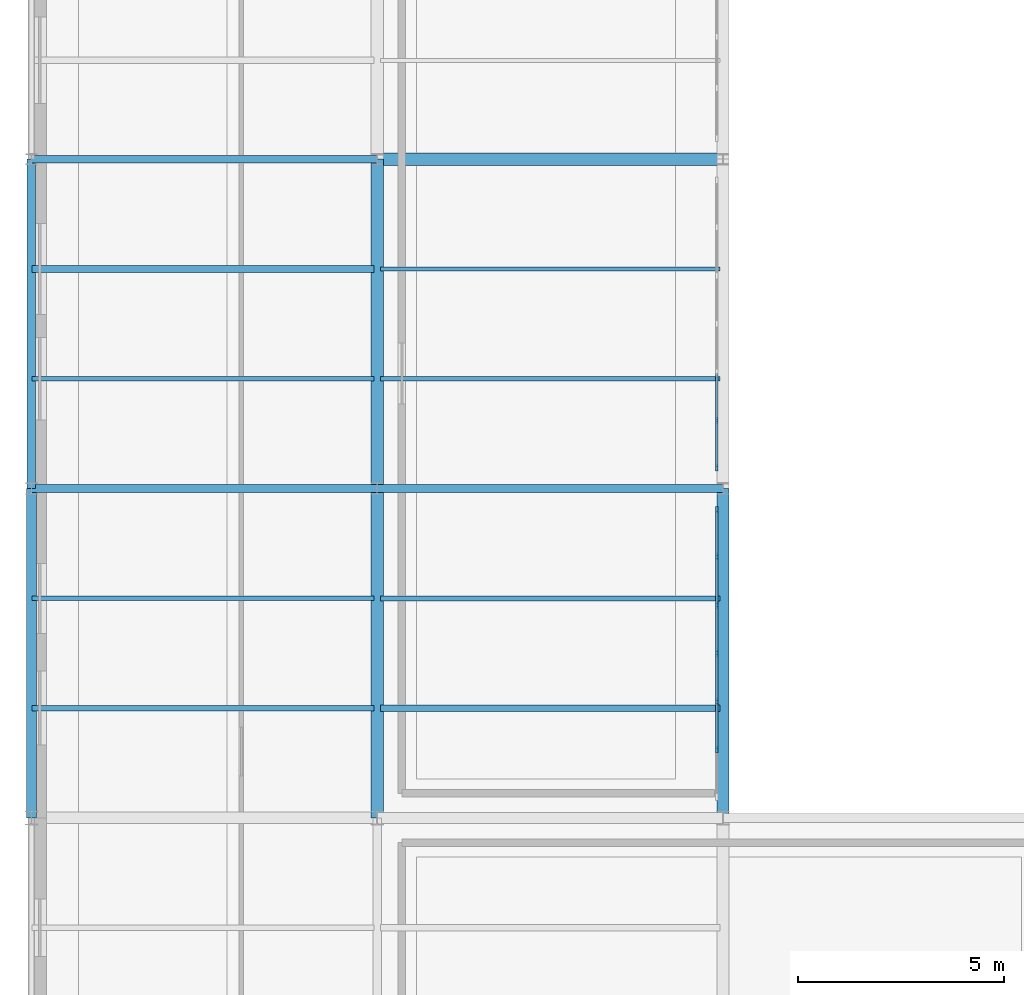
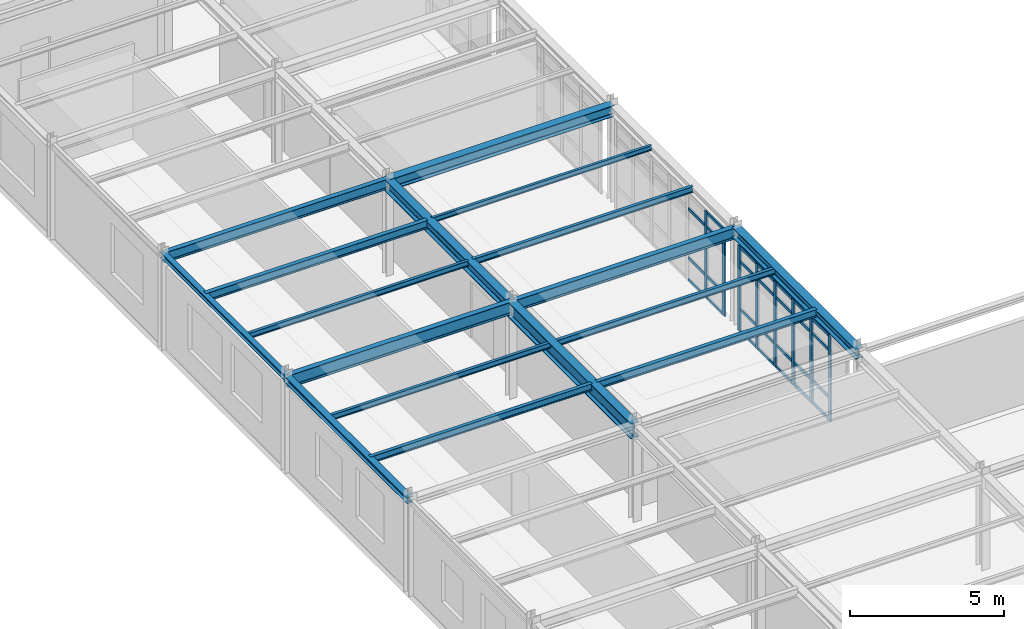
# One storey, part 28 of 70: 35 members, 17 beams, 2 elements without a shape of their own.
"""IFC4 building model written with IfcOpenShell, lengths in metres."""

from ifc_helpers import new_model, si_unit, derived_unit, direction, frame, origin, origin_2d, place, context, subcontext, project, spatial, rectangle, i_section, extrude, material, layer, layer_set, material_profile, profile_set, type_object, element, aggregate, save


model = new_model("IFC4")

# Units and contexts
model_context = context("Model", 3, precision=1e-05, world=origin(), true_north=direction((0.0, 1.0)))
body_context = subcontext(model_context, "Body", "Model", "MODEL_VIEW")
ifc_project = project(units=[si_unit("LENGTHUNIT", "METRE"), si_unit("AREAUNIT", "SQUARE_METRE"), si_unit("VOLUMEUNIT", "CUBIC_METRE"), si_unit("PLANEANGLEUNIT", "RADIAN"), si_unit("MASSUNIT", "GRAM", prefix="KILO"), derived_unit("THERMALTRANSMITTANCEUNIT", [(si_unit("POWERUNIT", "WATT"), 1), (si_unit("AREAUNIT", "SQUARE_METRE"), -1), (si_unit("THERMODYNAMICTEMPERATUREUNIT", "KELVIN"), -1)])], contexts=[model_context])

# Site, building, storey
site_placement = place(None, origin())
site = spatial("IfcSite", under=ifc_project, at=site_placement, CompositionType="ELEMENT")
building_placement = place(site_placement, origin())
building = spatial("IfcBuilding", under=site, at=building_placement, Name="Yasenodar Specialist Clinic", CompositionType="ELEMENT")
storey_placement = place(building_placement, frame((0.0, 0.0, 13.199951171875)))
storey = spatial("IfcBuildingStorey", under=building, at=storey_placement, Name="L03", CompositionType="ELEMENT", Elevation=13.199951171875)

# Beams
ifc_material_1 = material(Name="Steel S355", Category="steel")
ifc_material_profile_1 = material_profile(ifc_material_1, i_section(OverallWidth=0.300048828125, OverallDepth=0.43994140625, WebThickness=0.011474609375, FlangeThickness=0.02099609375, FilletRadius=0.027099609375, at=origin_2d()), Name="HEA 450")
ifc_profile_set_1 = profile_set([ifc_material_profile_1], Name="Steel S355")
beam_type_1 = type_object("IfcBeamType", Name="BM-HEA450", PredefinedType="BEAM", material=ifc_profile_set_1)
beam_1_placement = place(storey_placement, frame((8.39990234375, 82.800048828125, 3.580078125), z_axis=(1.0, 0.0, 0.0), x_axis=(0.0, 1.0, 0.0)))
element("IfcBeam", 1, at=beam_1_placement, inside=storey, type_object=beam_type_1, Name="L03 Primary E-W Girder", PredefinedType="BEAM", context=body_context, shape_type="SweptSolid", body=[
    extrude(i_section(OverallWidth=0.300048828125, OverallDepth=0.43994140625, WebThickness=0.011474609375, FlangeThickness=0.02099609375, FilletRadius=0.027099609375, at=origin_2d()), origin(), (0.0, 0.0, 1.0), 8.400146484375),
])
ifc_material_profile_2 = material_profile(ifc_material_1, i_section(OverallWidth=0.300048828125, OverallDepth=0.39990234375, WebThickness=0.013427734375, FlangeThickness=0.02392578125, FilletRadius=0.027099609375, at=origin_2d()), Name="HEB 400")
ifc_profile_set_2 = profile_set([ifc_material_profile_2], Name="Steel S355")
beam_type_2 = type_object("IfcBeamType", Name="BM-HEB400", PredefinedType="BEAM", material=ifc_profile_set_2)
beam_2_placement = place(storey_placement, frame((16.800048828125, 66.800048828125, 3.60009765625), z_axis=(0.0, 1.0, 0.0), x_axis=(-1.0, 0.0, 0.0)))
element("IfcBeam", 2, at=beam_2_placement, inside=storey, type_object=beam_type_2, Name="L03 Primary N-S Girder", PredefinedType="BEAM", context=body_context, shape_type="SweptSolid", body=[
    extrude(i_section(OverallWidth=0.300048828125, OverallDepth=0.39990234375, WebThickness=0.013427734375, FlangeThickness=0.02392578125, FilletRadius=0.027099609375, at=origin_2d()), origin(), (0.0, 0.0, 1.0), 8.0),
])
ifc_material_profile_3 = material_profile(ifc_material_1, i_section(OverallWidth=0.300048828125, OverallDepth=0.449951171875, WebThickness=0.013916015625, FlangeThickness=0.02587890625, FilletRadius=0.027099609375, at=origin_2d()), Name="HEB 450")
ifc_profile_set_3 = profile_set([ifc_material_profile_3], Name="Steel S355")
beam_type_3 = type_object("IfcBeamType", Name="BM-HEB450", PredefinedType="BEAM", material=ifc_profile_set_3)
beam_3_placement = place(storey_placement, frame((8.39990234375, 74.800048828125, 3.574951171875), z_axis=(0.0, 1.0, 0.0), x_axis=(-1.0, 0.0, 0.0)))
element("IfcBeam", 3, at=beam_3_placement, inside=storey, type_object=beam_type_3, Name="L03 Primary N-S Girder", PredefinedType="BEAM", context=body_context, shape_type="SweptSolid", body=[
    extrude(i_section(OverallWidth=0.300048828125, OverallDepth=0.449951171875, WebThickness=0.013916015625, FlangeThickness=0.02587890625, FilletRadius=0.027099609375, at=origin_2d()), origin(), (0.0, 0.0, 1.0), 8.0),
])
ifc_material_profile_4 = material_profile(ifc_material_1, i_section(OverallWidth=0.300048828125, OverallDepth=0.60009765625, WebThickness=0.015380859375, FlangeThickness=0.030029296875, FilletRadius=0.027099609375, at=origin_2d()), Name="HEB 600")
ifc_profile_set_4 = profile_set([ifc_material_profile_4], Name="Steel S355")
beam_type_4 = type_object("IfcBeamType", Name="BM-HEB600", PredefinedType="BEAM", material=ifc_profile_set_4)
beam_4_placement = place(storey_placement, frame((8.39990234375, 66.800048828125, 3.5), z_axis=(0.0, 1.0, 0.0), x_axis=(-1.0, 0.0, 0.0)))
element("IfcBeam", 4, at=beam_4_placement, inside=storey, type_object=beam_type_4, Name="L03 Primary N-S Girder", PredefinedType="BEAM", context=body_context, shape_type="SweptSolid", body=[
    extrude(i_section(OverallWidth=0.300048828125, OverallDepth=0.60009765625, WebThickness=0.015380859375, FlangeThickness=0.030029296875, FilletRadius=0.027099609375, at=origin_2d()), origin(), (0.0, 0.0, 1.0), 8.0),
])
ifc_material_profile_5 = material_profile(ifc_material_1, i_section(OverallWidth=0.179931640625, OverallDepth=0.39990234375, WebThickness=0.008544921875, FlangeThickness=0.013427734375, FilletRadius=0.02099609375, at=origin_2d()), Name="IPE 400")
ifc_profile_set_5 = profile_set([ifc_material_profile_5], Name="Steel S355")
beam_type_5 = type_object("IfcBeamType", Name="BM-IPE400", PredefinedType="BEAM", material=ifc_profile_set_5)
beam_5_placement = place(storey_placement, frame((0.0, 82.800048828125, 3.60009765625), z_axis=(1.0, 0.0, 0.0), x_axis=(0.0, 1.0, 0.0)))
element("IfcBeam", 5, at=beam_5_placement, inside=storey, type_object=beam_type_5, Name="L03 Primary E-W Girder", PredefinedType="BEAM", context=body_context, shape_type="SweptSolid", body=[
    extrude(i_section(OverallWidth=0.179931640625, OverallDepth=0.39990234375, WebThickness=0.008544921875, FlangeThickness=0.013427734375, FilletRadius=0.02099609375, at=origin_2d()), origin(), (0.0, 0.0, 1.0), 8.39990234375),
])
ifc_material_profile_6 = material_profile(ifc_material_1, i_section(OverallWidth=0.18994140625, OverallDepth=0.449951171875, WebThickness=0.009521484375, FlangeThickness=0.0146484375, FilletRadius=0.02099609375, at=origin_2d()), Name="IPE 450")
ifc_profile_set_6 = profile_set([ifc_material_profile_6], Name="Steel S355")
beam_type_6 = type_object("IfcBeamType", Name="BM-IPE450", PredefinedType="BEAM", material=ifc_profile_set_6)
beam_6_placement = place(storey_placement, frame((8.39990234375, 74.800048828125, 3.574951171875), z_axis=(1.0, 0.0, 0.0), x_axis=(0.0, 1.0, 0.0)))
element("IfcBeam", 6, at=beam_6_placement, inside=storey, type_object=beam_type_6, Name="L03 Primary E-W Girder", PredefinedType="BEAM", context=body_context, shape_type="SweptSolid", body=[
    extrude(i_section(OverallWidth=0.18994140625, OverallDepth=0.449951171875, WebThickness=0.009521484375, FlangeThickness=0.0146484375, FilletRadius=0.02099609375, at=origin_2d()), origin(), (0.0, 0.0, 1.0), 8.400146484375),
])
ifc_material_profile_7 = material_profile(ifc_material_1, i_section(OverallWidth=0.199951171875, OverallDepth=0.5, WebThickness=0.01025390625, FlangeThickness=0.01611328125, FilletRadius=0.02099609375, at=origin_2d()), Name="IPE 500")
ifc_profile_set_7 = profile_set([ifc_material_profile_7], Name="Steel S355")
beam_type_7 = type_object("IfcBeamType", Name="BM-IPE500", PredefinedType="BEAM", material=ifc_profile_set_7)
beam_7_placement = place(storey_placement, frame((0.0, 74.800048828125, 3.550048828125), z_axis=(1.0, 0.0, 0.0), x_axis=(0.0, 1.0, 0.0)))
element("IfcBeam", 7, at=beam_7_placement, inside=storey, type_object=beam_type_7, Name="L03 Primary E-W Girder", PredefinedType="BEAM", context=body_context, shape_type="SweptSolid", body=[
    extrude(i_section(OverallWidth=0.199951171875, OverallDepth=0.5, WebThickness=0.01025390625, FlangeThickness=0.01611328125, FilletRadius=0.02099609375, at=origin_2d()), origin(), (0.0, 0.0, 1.0), 8.39990234375),
])

# Curtain wall, members
ifc_material_2 = material(Name="Bronze Anodized Aluminium and Triple Low-E Glass", Category="aluminium")
ifc_layer = layer(ifc_material_2, 0.202880859375)
ifc_layer_set = layer_set([ifc_layer], Name="Bronze Anodized Aluminium and Triple Low-E Glass")
curtain_wall_type = type_object("IfcCurtainWallType", Name="CW-SYS-04", PredefinedType="USERDEFINED", material=ifc_layer_set)
curtain_wall_1_placement = place(storey_placement, origin())
curtain_wall_1 = element("IfcCurtainWall", 8, at=curtain_wall_1_placement, inside=storey, type_object=curtain_wall_type, Name="L03 Unitised Curtain Wall 133", ObjectType="UNITISED CURTAIN WALL", PredefinedType="USERDEFINED")
ifc_material_3 = material(Name="Bronze Anodized Aluminium", Category="aluminium")
ifc_material_profile_8 = material_profile(ifc_material_3, rectangle(XDim=0.06005859375, YDim=0.159912109375, at=origin_2d()), Name="CW-MULL 60x160")
ifc_profile_set_8 = profile_set([ifc_material_profile_8], Name="Bronze Anodized Aluminium")
member_type_1 = type_object("IfcMemberType", Name="CW-MULL-160", PredefinedType="MULLION", material=ifc_profile_set_8)
member_1_placement = place(storey_placement, frame((16.64990234375, 76.453369140625, 0.0), z_axis=(0.0, 0.0, 1.0), x_axis=(1.0, 0.0, 0.0)))
member_1 = element("IfcMember", 9, at=member_1_placement, type_object=member_type_1, Name="CW-04 mullion 6", PredefinedType="MULLION", context=body_context, shape_type="SweptSolid", body=[
    extrude(rectangle(XDim=0.06005859375, YDim=0.159912109375, at=origin_2d()), origin(), (0.0, 0.0, 1.0), 3.43798828125),
])
member_2_placement = place(storey_placement, frame((16.64990234375, 75.31005859375, 0.0), z_axis=(0.0, 0.0, 1.0), x_axis=(1.0, 0.0, 0.0)))
member_2 = element("IfcMember", 10, at=member_2_placement, type_object=member_type_1, Name="CW-04 mullion 7", PredefinedType="MULLION", context=body_context, shape_type="SweptSolid", body=[
    extrude(rectangle(XDim=0.06005859375, YDim=0.159912109375, at=origin_2d()), origin(), (0.0, 0.0, 1.0), 3.43798828125),
])

curtain_wall_2_placement = place(storey_placement, origin())
curtain_wall_2 = element("IfcCurtainWall", 11, at=curtain_wall_2_placement, inside=storey, type_object=curtain_wall_type, Name="L03 Unitised Curtain Wall 134", ObjectType="UNITISED CURTAIN WALL", PredefinedType="USERDEFINED")
member_3_placement = place(storey_placement, frame((16.64990234375, 74.2900390625, 0.0), z_axis=(0.0, 0.0, 1.0), x_axis=(1.0, 0.0, 0.0)))
member_3 = element("IfcMember", 12, at=member_3_placement, type_object=member_type_1, Name="CW-04 mullion 1", PredefinedType="MULLION", context=body_context, shape_type="SweptSolid", body=[
    extrude(rectangle(XDim=0.06005859375, YDim=0.159912109375, at=origin_2d()), origin(), (0.0, 0.0, 1.0), 3.3779296875),
])
member_4_placement = place(storey_placement, frame((16.64990234375, 73.146728515625, 0.0), z_axis=(0.0, 0.0, 1.0), x_axis=(1.0, 0.0, 0.0)))
member_4 = element("IfcMember", 13, at=member_4_placement, type_object=member_type_1, Name="CW-04 mullion 2", PredefinedType="MULLION", context=body_context, shape_type="SweptSolid", body=[
    extrude(rectangle(XDim=0.06005859375, YDim=0.159912109375, at=origin_2d()), origin(), (0.0, 0.0, 1.0), 3.3779296875),
])
member_5_placement = place(storey_placement, frame((16.64990234375, 71.973388671875, 0.0), z_axis=(0.0, 0.0, 1.0), x_axis=(1.0, 0.0, 0.0)))
member_5 = element("IfcMember", 14, at=member_5_placement, type_object=member_type_1, Name="CW-04 mullion 3", PredefinedType="MULLION", context=body_context, shape_type="SweptSolid", body=[
    extrude(rectangle(XDim=0.06005859375, YDim=0.159912109375, at=origin_2d()), origin(), (0.0, 0.0, 1.0), 3.3779296875),
])
member_6_placement = place(storey_placement, frame((16.64990234375, 70.800048828125, 0.0), z_axis=(0.0, 0.0, 1.0), x_axis=(1.0, 0.0, 0.0)))
member_6 = element("IfcMember", 15, at=member_6_placement, type_object=member_type_1, Name="CW-04 mullion 4", PredefinedType="MULLION", context=body_context, shape_type="SweptSolid", body=[
    extrude(rectangle(XDim=0.06005859375, YDim=0.159912109375, at=origin_2d()), origin(), (0.0, 0.0, 1.0), 3.3779296875),
])
member_7_placement = place(storey_placement, frame((16.64990234375, 69.626708984375, 0.0), z_axis=(0.0, 0.0, 1.0), x_axis=(1.0, 0.0, 0.0)))
member_7 = element("IfcMember", 16, at=member_7_placement, type_object=member_type_1, Name="CW-04 mullion 5", PredefinedType="MULLION", context=body_context, shape_type="SweptSolid", body=[
    extrude(rectangle(XDim=0.06005859375, YDim=0.159912109375, at=origin_2d()), origin(), (0.0, 0.0, 1.0), 3.3779296875),
])
member_8_placement = place(storey_placement, frame((16.64990234375, 68.453369140625, 0.0), z_axis=(0.0, 0.0, 1.0), x_axis=(1.0, 0.0, 0.0)))
member_8 = element("IfcMember", 17, at=member_8_placement, type_object=member_type_1, Name="CW-04 mullion 6", PredefinedType="MULLION", context=body_context, shape_type="SweptSolid", body=[
    extrude(rectangle(XDim=0.06005859375, YDim=0.159912109375, at=origin_2d()), origin(), (0.0, 0.0, 1.0), 3.3779296875),
])

# Member
ifc_material_profile_9 = material_profile(ifc_material_3, rectangle(XDim=0.06005859375, YDim=0.1201171875, at=origin_2d()), Name="CW-TRAN 60x120")
ifc_profile_set_9 = profile_set([ifc_material_profile_9], Name="Bronze Anodized Aluminium")
member_type_2 = type_object("IfcMemberType", Name="CW-TRAN-120", PredefinedType="USERDEFINED", material=ifc_profile_set_9)
member_9_placement = place(storey_placement, frame((16.64990234375, 77.5966796875, 0.030029296875), z_axis=(0.0, -1.0, 0.0), x_axis=(1.0, 0.0, 0.0)))
member_9 = element("IfcMember", 18, at=member_9_placement, type_object=member_type_2, Name="CW-04 transom 5.1", ObjectType="TRANSOM", PredefinedType="USERDEFINED", context=body_context, shape_type="SweptSolid", body=[
    extrude(rectangle(XDim=0.06005859375, YDim=0.1201171875, at=origin_2d()), origin(), (0.0, 0.0, 1.0), 1.11328125),
])

member_10_placement = place(storey_placement, frame((16.64990234375, 77.5966796875, 0.900146484375), z_axis=(0.0, -1.0, 0.0), x_axis=(1.0, 0.0, 0.0)))
member_10 = element("IfcMember", 19, at=member_10_placement, type_object=member_type_2, Name="CW-04 transom 5.2", ObjectType="TRANSOM", PredefinedType="USERDEFINED", context=body_context, shape_type="SweptSolid", body=[
    extrude(rectangle(XDim=0.06005859375, YDim=0.1201171875, at=origin_2d()), origin(), (0.0, 0.0, 1.0), 1.11328125),
])

member_11_placement = place(storey_placement, frame((16.64990234375, 77.5966796875, 2.838134765625), z_axis=(0.0, -1.0, 0.0), x_axis=(1.0, 0.0, 0.0)))
member_11 = element("IfcMember", 20, at=member_11_placement, type_object=member_type_2, Name="CW-04 transom 5.3", ObjectType="TRANSOM", PredefinedType="USERDEFINED", context=body_context, shape_type="SweptSolid", body=[
    extrude(rectangle(XDim=0.06005859375, YDim=0.1201171875, at=origin_2d()), origin(), (0.0, 0.0, 1.0), 1.11328125),
])

member_12_placement = place(storey_placement, frame((16.64990234375, 76.42333984375, 0.030029296875), z_axis=(0.0, -1.0, 0.0), x_axis=(1.0, 0.0, 0.0)))
member_12 = element("IfcMember", 21, at=member_12_placement, type_object=member_type_2, Name="CW-04 transom 6.1", ObjectType="TRANSOM", PredefinedType="USERDEFINED", context=body_context, shape_type="SweptSolid", body=[
    extrude(rectangle(XDim=0.06005859375, YDim=0.1201171875, at=origin_2d()), origin(), (0.0, 0.0, 1.0), 1.083251953125),
])

member_13_placement = place(storey_placement, frame((16.64990234375, 76.42333984375, 0.900146484375), z_axis=(0.0, -1.0, 0.0), x_axis=(1.0, 0.0, 0.0)))
member_13 = element("IfcMember", 22, at=member_13_placement, type_object=member_type_2, Name="CW-04 transom 6.2", ObjectType="TRANSOM", PredefinedType="USERDEFINED", context=body_context, shape_type="SweptSolid", body=[
    extrude(rectangle(XDim=0.06005859375, YDim=0.1201171875, at=origin_2d()), origin(), (0.0, 0.0, 1.0), 1.083251953125),
])

member_14_placement = place(storey_placement, frame((16.64990234375, 76.42333984375, 2.838134765625), z_axis=(0.0, -1.0, 0.0), x_axis=(1.0, 0.0, 0.0)))
member_14 = element("IfcMember", 23, at=member_14_placement, type_object=member_type_2, Name="CW-04 transom 6.3", ObjectType="TRANSOM", PredefinedType="USERDEFINED", context=body_context, shape_type="SweptSolid", body=[
    extrude(rectangle(XDim=0.06005859375, YDim=0.1201171875, at=origin_2d()), origin(), (0.0, 0.0, 1.0), 1.083251953125),
])

member_15_placement = place(storey_placement, frame((16.64990234375, 76.42333984375, 3.407958984375), z_axis=(0.0, -1.0, 0.0), x_axis=(1.0, 0.0, 0.0)))
member_15 = element("IfcMember", 24, at=member_15_placement, type_object=member_type_2, Name="CW-04 transom 6.4", ObjectType="TRANSOM", PredefinedType="USERDEFINED", context=body_context, shape_type="SweptSolid", body=[
    extrude(rectangle(XDim=0.06005859375, YDim=0.1201171875, at=origin_2d()), origin(), (0.0, 0.0, 1.0), 1.083251953125),
])

aggregate(curtain_wall_1, [member_1, member_2, member_9, member_10, member_11, member_12, member_13, member_14, member_15])

member_16_placement = place(storey_placement, frame((16.64990234375, 74.260009765625, 0.030029296875), z_axis=(0.0, -1.0, 0.0), x_axis=(1.0, 0.0, 0.0)))
member_16 = element("IfcMember", 25, at=member_16_placement, type_object=member_type_2, Name="CW-04 transom 1.1", ObjectType="TRANSOM", PredefinedType="USERDEFINED", context=body_context, shape_type="SweptSolid", body=[
    extrude(rectangle(XDim=0.06005859375, YDim=0.1201171875, at=origin_2d()), origin(), (0.0, 0.0, 1.0), 1.083251953125),
])

member_17_placement = place(storey_placement, frame((16.64990234375, 74.260009765625, 0.900146484375), z_axis=(0.0, -1.0, 0.0), x_axis=(1.0, 0.0, 0.0)))
member_17 = element("IfcMember", 26, at=member_17_placement, type_object=member_type_2, Name="CW-04 transom 1.2", ObjectType="TRANSOM", PredefinedType="USERDEFINED", context=body_context, shape_type="SweptSolid", body=[
    extrude(rectangle(XDim=0.06005859375, YDim=0.1201171875, at=origin_2d()), origin(), (0.0, 0.0, 1.0), 1.083251953125),
])

member_18_placement = place(storey_placement, frame((16.64990234375, 74.260009765625, 2.778076171875), z_axis=(0.0, -1.0, 0.0), x_axis=(1.0, 0.0, 0.0)))
member_18 = element("IfcMember", 27, at=member_18_placement, type_object=member_type_2, Name="CW-04 transom 1.3", ObjectType="TRANSOM", PredefinedType="USERDEFINED", context=body_context, shape_type="SweptSolid", body=[
    extrude(rectangle(XDim=0.06005859375, YDim=0.1201171875, at=origin_2d()), origin(), (0.0, 0.0, 1.0), 1.083251953125),
])

member_19_placement = place(storey_placement, frame((16.64990234375, 74.260009765625, 3.34814453125), z_axis=(0.0, -1.0, 0.0), x_axis=(1.0, 0.0, 0.0)))
member_19 = element("IfcMember", 28, at=member_19_placement, type_object=member_type_2, Name="CW-04 transom 1.4", ObjectType="TRANSOM", PredefinedType="USERDEFINED", context=body_context, shape_type="SweptSolid", body=[
    extrude(rectangle(XDim=0.06005859375, YDim=0.1201171875, at=origin_2d()), origin(), (0.0, 0.0, 1.0), 1.083251953125),
])

member_20_placement = place(storey_placement, frame((16.64990234375, 73.11669921875, 0.030029296875), z_axis=(0.0, -1.0, 0.0), x_axis=(1.0, 0.0, 0.0)))
member_20 = element("IfcMember", 29, at=member_20_placement, type_object=member_type_2, Name="CW-04 transom 2.1", ObjectType="TRANSOM", PredefinedType="USERDEFINED", context=body_context, shape_type="SweptSolid", body=[
    extrude(rectangle(XDim=0.06005859375, YDim=0.1201171875, at=origin_2d()), origin(), (0.0, 0.0, 1.0), 1.11328125),
])

member_21_placement = place(storey_placement, frame((16.64990234375, 73.11669921875, 0.900146484375), z_axis=(0.0, -1.0, 0.0), x_axis=(1.0, 0.0, 0.0)))
member_21 = element("IfcMember", 30, at=member_21_placement, type_object=member_type_2, Name="CW-04 transom 2.2", ObjectType="TRANSOM", PredefinedType="USERDEFINED", context=body_context, shape_type="SweptSolid", body=[
    extrude(rectangle(XDim=0.06005859375, YDim=0.1201171875, at=origin_2d()), origin(), (0.0, 0.0, 1.0), 1.11328125),
])

member_22_placement = place(storey_placement, frame((16.64990234375, 73.11669921875, 2.778076171875), z_axis=(0.0, -1.0, 0.0), x_axis=(1.0, 0.0, 0.0)))
member_22 = element("IfcMember", 31, at=member_22_placement, type_object=member_type_2, Name="CW-04 transom 2.3", ObjectType="TRANSOM", PredefinedType="USERDEFINED", context=body_context, shape_type="SweptSolid", body=[
    extrude(rectangle(XDim=0.06005859375, YDim=0.1201171875, at=origin_2d()), origin(), (0.0, 0.0, 1.0), 1.11328125),
])

member_23_placement = place(storey_placement, frame((16.64990234375, 73.11669921875, 3.34814453125), z_axis=(0.0, -1.0, 0.0), x_axis=(1.0, 0.0, 0.0)))
member_23 = element("IfcMember", 32, at=member_23_placement, type_object=member_type_2, Name="CW-04 transom 2.4", ObjectType="TRANSOM", PredefinedType="USERDEFINED", context=body_context, shape_type="SweptSolid", body=[
    extrude(rectangle(XDim=0.06005859375, YDim=0.1201171875, at=origin_2d()), origin(), (0.0, 0.0, 1.0), 1.11328125),
])

member_24_placement = place(storey_placement, frame((16.64990234375, 71.943359375, 0.030029296875), z_axis=(0.0, -1.0, 0.0), x_axis=(1.0, 0.0, 0.0)))
member_24 = element("IfcMember", 33, at=member_24_placement, type_object=member_type_2, Name="CW-04 transom 3.1", ObjectType="TRANSOM", PredefinedType="USERDEFINED", context=body_context, shape_type="SweptSolid", body=[
    extrude(rectangle(XDim=0.06005859375, YDim=0.1201171875, at=origin_2d()), origin(), (0.0, 0.0, 1.0), 1.11328125),
])

member_25_placement = place(storey_placement, frame((16.64990234375, 71.943359375, 0.900146484375), z_axis=(0.0, -1.0, 0.0), x_axis=(1.0, 0.0, 0.0)))
member_25 = element("IfcMember", 34, at=member_25_placement, type_object=member_type_2, Name="CW-04 transom 3.2", ObjectType="TRANSOM", PredefinedType="USERDEFINED", context=body_context, shape_type="SweptSolid", body=[
    extrude(rectangle(XDim=0.06005859375, YDim=0.1201171875, at=origin_2d()), origin(), (0.0, 0.0, 1.0), 1.11328125),
])

member_26_placement = place(storey_placement, frame((16.64990234375, 71.943359375, 2.778076171875), z_axis=(0.0, -1.0, 0.0), x_axis=(1.0, 0.0, 0.0)))
member_26 = element("IfcMember", 35, at=member_26_placement, type_object=member_type_2, Name="CW-04 transom 3.3", ObjectType="TRANSOM", PredefinedType="USERDEFINED", context=body_context, shape_type="SweptSolid", body=[
    extrude(rectangle(XDim=0.06005859375, YDim=0.1201171875, at=origin_2d()), origin(), (0.0, 0.0, 1.0), 1.11328125),
])

member_27_placement = place(storey_placement, frame((16.64990234375, 71.943359375, 3.34814453125), z_axis=(0.0, -1.0, 0.0), x_axis=(1.0, 0.0, 0.0)))
member_27 = element("IfcMember", 36, at=member_27_placement, type_object=member_type_2, Name="CW-04 transom 3.4", ObjectType="TRANSOM", PredefinedType="USERDEFINED", context=body_context, shape_type="SweptSolid", body=[
    extrude(rectangle(XDim=0.06005859375, YDim=0.1201171875, at=origin_2d()), origin(), (0.0, 0.0, 1.0), 1.11328125),
])

member_28_placement = place(storey_placement, frame((16.64990234375, 70.77001953125, 0.030029296875), z_axis=(0.0, -1.0, 0.0), x_axis=(1.0, 0.0, 0.0)))
member_28 = element("IfcMember", 37, at=member_28_placement, type_object=member_type_2, Name="CW-04 transom 4.1", ObjectType="TRANSOM", PredefinedType="USERDEFINED", context=body_context, shape_type="SweptSolid", body=[
    extrude(rectangle(XDim=0.06005859375, YDim=0.1201171875, at=origin_2d()), origin(), (0.0, 0.0, 1.0), 1.11328125),
])

member_29_placement = place(storey_placement, frame((16.64990234375, 70.77001953125, 0.900146484375), z_axis=(0.0, -1.0, 0.0), x_axis=(1.0, 0.0, 0.0)))
member_29 = element("IfcMember", 38, at=member_29_placement, type_object=member_type_2, Name="CW-04 transom 4.2", ObjectType="TRANSOM", PredefinedType="USERDEFINED", context=body_context, shape_type="SweptSolid", body=[
    extrude(rectangle(XDim=0.06005859375, YDim=0.1201171875, at=origin_2d()), origin(), (0.0, 0.0, 1.0), 1.11328125),
])

member_30_placement = place(storey_placement, frame((16.64990234375, 70.77001953125, 2.778076171875), z_axis=(0.0, -1.0, 0.0), x_axis=(1.0, 0.0, 0.0)))
member_30 = element("IfcMember", 39, at=member_30_placement, type_object=member_type_2, Name="CW-04 transom 4.3", ObjectType="TRANSOM", PredefinedType="USERDEFINED", context=body_context, shape_type="SweptSolid", body=[
    extrude(rectangle(XDim=0.06005859375, YDim=0.1201171875, at=origin_2d()), origin(), (0.0, 0.0, 1.0), 1.11328125),
])

member_31_placement = place(storey_placement, frame((16.64990234375, 70.77001953125, 3.34814453125), z_axis=(0.0, -1.0, 0.0), x_axis=(1.0, 0.0, 0.0)))
member_31 = element("IfcMember", 40, at=member_31_placement, type_object=member_type_2, Name="CW-04 transom 4.4", ObjectType="TRANSOM", PredefinedType="USERDEFINED", context=body_context, shape_type="SweptSolid", body=[
    extrude(rectangle(XDim=0.06005859375, YDim=0.1201171875, at=origin_2d()), origin(), (0.0, 0.0, 1.0), 1.11328125),
])

member_32_placement = place(storey_placement, frame((16.64990234375, 69.5966796875, 0.030029296875), z_axis=(0.0, -1.0, 0.0), x_axis=(1.0, 0.0, 0.0)))
member_32 = element("IfcMember", 41, at=member_32_placement, type_object=member_type_2, Name="CW-04 transom 5.1", ObjectType="TRANSOM", PredefinedType="USERDEFINED", context=body_context, shape_type="SweptSolid", body=[
    extrude(rectangle(XDim=0.06005859375, YDim=0.1201171875, at=origin_2d()), origin(), (0.0, 0.0, 1.0), 1.11328125),
])

member_33_placement = place(storey_placement, frame((16.64990234375, 69.5966796875, 0.900146484375), z_axis=(0.0, -1.0, 0.0), x_axis=(1.0, 0.0, 0.0)))
member_33 = element("IfcMember", 42, at=member_33_placement, type_object=member_type_2, Name="CW-04 transom 5.2", ObjectType="TRANSOM", PredefinedType="USERDEFINED", context=body_context, shape_type="SweptSolid", body=[
    extrude(rectangle(XDim=0.06005859375, YDim=0.1201171875, at=origin_2d()), origin(), (0.0, 0.0, 1.0), 1.11328125),
])

member_34_placement = place(storey_placement, frame((16.64990234375, 69.5966796875, 2.778076171875), z_axis=(0.0, -1.0, 0.0), x_axis=(1.0, 0.0, 0.0)))
member_34 = element("IfcMember", 43, at=member_34_placement, type_object=member_type_2, Name="CW-04 transom 5.3", ObjectType="TRANSOM", PredefinedType="USERDEFINED", context=body_context, shape_type="SweptSolid", body=[
    extrude(rectangle(XDim=0.06005859375, YDim=0.1201171875, at=origin_2d()), origin(), (0.0, 0.0, 1.0), 1.11328125),
])

member_35_placement = place(storey_placement, frame((16.64990234375, 69.5966796875, 3.34814453125), z_axis=(0.0, -1.0, 0.0), x_axis=(1.0, 0.0, 0.0)))
member_35 = element("IfcMember", 44, at=member_35_placement, type_object=member_type_2, Name="CW-04 transom 5.4", ObjectType="TRANSOM", PredefinedType="USERDEFINED", context=body_context, shape_type="SweptSolid", body=[
    extrude(rectangle(XDim=0.06005859375, YDim=0.1201171875, at=origin_2d()), origin(), (0.0, 0.0, 1.0), 1.11328125),
])

aggregate(curtain_wall_2, [member_3, member_4, member_5, member_6, member_7, member_8, member_16, member_17, member_18, member_19, member_20, member_21, member_22, member_23, member_24, member_25, member_26, member_27, member_28, member_29, member_30, member_31, member_32, member_33, member_34, member_35])

# Beams
ifc_material_profile_10 = material_profile(ifc_material_1, i_section(OverallWidth=0.10009765625, OverallDepth=0.199951171875, WebThickness=0.005615234375, FlangeThickness=0.008544921875, FilletRadius=0.011962890625, at=origin_2d()), Name="IPE 200")
ifc_profile_set_10 = profile_set([ifc_material_profile_10], Name="Steel S355")
beam_type_8 = type_object("IfcBeamType", Name="JS-IPE200", PredefinedType="JOIST", material=ifc_profile_set_10)
beam_8_placement = place(storey_placement, frame((8.47998046875, 80.13330078125, 3.699951171875), z_axis=(1.0, 0.0, 0.0), x_axis=(0.0, 1.0, 0.0)))
element("IfcBeam", 45, at=beam_8_placement, inside=storey, type_object=beam_type_8, Name="L03 Composite Floor Joist", PredefinedType="JOIST", context=body_context, shape_type="SweptSolid", body=[
    extrude(i_section(OverallWidth=0.10009765625, OverallDepth=0.199951171875, WebThickness=0.005615234375, FlangeThickness=0.008544921875, FilletRadius=0.011962890625, at=origin_2d()), origin(), (0.0, 0.0, 1.0), 8.239990234375),
])
ifc_material_profile_11 = material_profile(ifc_material_1, i_section(OverallWidth=0.110107421875, OverallDepth=0.219970703125, WebThickness=0.005859375, FlangeThickness=0.00927734375, FilletRadius=0.011962890625, at=origin_2d()), Name="IPE 220")
ifc_profile_set_11 = profile_set([ifc_material_profile_11], Name="Steel S355")
beam_type_9 = type_object("IfcBeamType", Name="JS-IPE220", PredefinedType="JOIST", material=ifc_profile_set_11)
for number, where, z_axis, x_axis, name in (
    (46, (0.014892578125, 72.13330078125, 3.68994140625), (1.0, 0.0, 0.0), (0.0, 1.0, 0.0), "L03 Composite Floor Joist"),
    (47, (0.014892578125, 77.466796875, 3.68994140625), (1.0, 0.0, 0.0), (0.0, 1.0, 0.0), "L03 Composite Floor Joist"),
):
    element("IfcBeam", number, at=place(storey_placement, frame(where, z_axis=z_axis, x_axis=x_axis)), inside=storey, type_object=beam_type_9, Name=name, PredefinedType="JOIST", context=body_context, shape_type="SweptSolid", body=[
        extrude(i_section(OverallWidth=0.110107421875, OverallDepth=0.219970703125, WebThickness=0.005859375, FlangeThickness=0.00927734375, FilletRadius=0.011962890625, at=origin_2d()), origin(), (0.0, 0.0, 1.0), 8.30517578125),
    ])
ifc_material_profile_12 = material_profile(ifc_material_1, i_section(OverallWidth=0.1201171875, OverallDepth=0.239990234375, WebThickness=0.006103515625, FlangeThickness=0.009765625, FilletRadius=0.014892578125, at=origin_2d()), Name="IPE 240")
ifc_profile_set_12 = profile_set([ifc_material_profile_12], Name="Steel S355")
beam_type_10 = type_object("IfcBeamType", Name="JS-IPE240", PredefinedType="JOIST", material=ifc_profile_set_12)
for number, where, z_axis, x_axis, name in (
    (48, (8.47998046875, 72.13330078125, 3.679931640625), (1.0, 0.0, 0.0), (0.0, 1.0, 0.0), "L03 Composite Floor Joist"),
    (49, (8.47998046875, 77.466796875, 3.679931640625), (1.0, 0.0, 0.0), (0.0, 1.0, 0.0), "L03 Composite Floor Joist"),
):
    element("IfcBeam", number, at=place(storey_placement, frame(where, z_axis=z_axis, x_axis=x_axis)), inside=storey, type_object=beam_type_10, Name=name, PredefinedType="JOIST", context=body_context, shape_type="SweptSolid", body=[
        extrude(i_section(OverallWidth=0.1201171875, OverallDepth=0.239990234375, WebThickness=0.006103515625, FlangeThickness=0.009765625, FilletRadius=0.014892578125, at=origin_2d()), origin(), (0.0, 0.0, 1.0), 8.239990234375),
    ])
ifc_material_profile_13 = material_profile(ifc_material_1, i_section(OverallWidth=0.135009765625, OverallDepth=0.27001953125, WebThickness=0.006591796875, FlangeThickness=0.01025390625, FilletRadius=0.014892578125, at=origin_2d()), Name="IPE 270")
ifc_profile_set_13 = profile_set([ifc_material_profile_13], Name="Steel S355")
beam_type_11 = type_object("IfcBeamType", Name="JS-IPE270", PredefinedType="JOIST", material=ifc_profile_set_13)
beam_9_placement = place(storey_placement, frame((0.014892578125, 69.466796875, 3.6650390625), z_axis=(1.0, 0.0, 0.0), x_axis=(0.0, 1.0, 0.0)))
element("IfcBeam", 50, at=beam_9_placement, inside=storey, type_object=beam_type_11, Name="L03 Composite Floor Joist", PredefinedType="JOIST", context=body_context, shape_type="SweptSolid", body=[
    extrude(i_section(OverallWidth=0.135009765625, OverallDepth=0.27001953125, WebThickness=0.006591796875, FlangeThickness=0.01025390625, FilletRadius=0.014892578125, at=origin_2d()), origin(), (0.0, 0.0, 1.0), 8.30517578125),
])
ifc_material_profile_14 = material_profile(ifc_material_1, i_section(OverallWidth=0.14990234375, OverallDepth=0.300048828125, WebThickness=0.007080078125, FlangeThickness=0.0107421875, FilletRadius=0.014892578125, at=origin_2d()), Name="IPE 300")
ifc_profile_set_14 = profile_set([ifc_material_profile_14], Name="Steel S355")
beam_type_12 = type_object("IfcBeamType", Name="JS-IPE300", PredefinedType="JOIST", material=ifc_profile_set_14)
beam_10_placement = place(storey_placement, frame((8.47998046875, 69.466796875, 3.650146484375), z_axis=(1.0, 0.0, 0.0), x_axis=(0.0, 1.0, 0.0)))
element("IfcBeam", 51, at=beam_10_placement, inside=storey, type_object=beam_type_12, Name="L03 Composite Floor Joist", PredefinedType="JOIST", context=body_context, shape_type="SweptSolid", body=[
    extrude(i_section(OverallWidth=0.14990234375, OverallDepth=0.300048828125, WebThickness=0.007080078125, FlangeThickness=0.0107421875, FilletRadius=0.014892578125, at=origin_2d()), origin(), (0.0, 0.0, 1.0), 8.239990234375),
])
ifc_material_profile_15 = material_profile(ifc_material_1, i_section(OverallWidth=0.159912109375, OverallDepth=0.330078125, WebThickness=0.007568359375, FlangeThickness=0.011474609375, FilletRadius=0.01806640625, at=origin_2d()), Name="IPE 330")
ifc_profile_set_15 = profile_set([ifc_material_profile_15], Name="Steel S355")
beam_type_13 = type_object("IfcBeamType", Name="JS-IPE330", PredefinedType="JOIST", material=ifc_profile_set_15)
beam_11_placement = place(storey_placement, frame((0.014892578125, 80.13330078125, 3.635009765625), z_axis=(1.0, 0.0, 0.0), x_axis=(0.0, 1.0, 0.0)))
element("IfcBeam", 52, at=beam_11_placement, inside=storey, type_object=beam_type_13, Name="L03 Composite Floor Joist", PredefinedType="JOIST", context=body_context, shape_type="SweptSolid", body=[
    extrude(i_section(OverallWidth=0.159912109375, OverallDepth=0.330078125, WebThickness=0.007568359375, FlangeThickness=0.011474609375, FilletRadius=0.01806640625, at=origin_2d()), origin(), (0.0, 0.0, 1.0), 8.30517578125),
])
ifc_material_profile_16 = material_profile(ifc_material_1, i_section(OverallWidth=0.199951171875, OverallDepth=0.18994140625, WebThickness=0.006591796875, FlangeThickness=0.010009765625, FilletRadius=0.01806640625, at=origin_2d()), Name="HEA 200")
ifc_profile_set_16 = profile_set([ifc_material_profile_16], Name="Steel S355")
beam_type_14 = type_object("IfcBeamType", Name="SP-HEA200", PredefinedType="SPANDREL", material=ifc_profile_set_16)
beam_12_placement = place(storey_placement, frame((0.0, 74.800048828125, 3.705078125), z_axis=(0.0, 1.0, 0.0), x_axis=(-1.0, 0.0, 0.0)))
element("IfcBeam", 53, at=beam_12_placement, inside=storey, type_object=beam_type_14, Name="L03 Perimeter Spandrel Beam", PredefinedType="SPANDREL", context=body_context, shape_type="SweptSolid", body=[
    extrude(i_section(OverallWidth=0.199951171875, OverallDepth=0.18994140625, WebThickness=0.006591796875, FlangeThickness=0.010009765625, FilletRadius=0.01806640625, at=origin_2d()), origin(), (0.0, 0.0, 1.0), 8.0),
])
ifc_material_profile_17 = material_profile(ifc_material_1, i_section(OverallWidth=0.239990234375, OverallDepth=0.22998046875, WebThickness=0.007568359375, FlangeThickness=0.011962890625, FilletRadius=0.02099609375, at=origin_2d()), Name="HEA 240")
ifc_profile_set_17 = profile_set([ifc_material_profile_17], Name="Steel S355")
beam_type_15 = type_object("IfcBeamType", Name="SP-HEA240", PredefinedType="SPANDREL", material=ifc_profile_set_17)
beam_13_placement = place(storey_placement, frame((0.0, 66.800048828125, 3.68505859375), z_axis=(0.0, 1.0, 0.0), x_axis=(-1.0, 0.0, 0.0)))
element("IfcBeam", 54, at=beam_13_placement, inside=storey, type_object=beam_type_15, Name="L03 Perimeter Spandrel Beam", PredefinedType="SPANDREL", context=body_context, shape_type="SweptSolid", body=[
    extrude(i_section(OverallWidth=0.239990234375, OverallDepth=0.22998046875, WebThickness=0.007568359375, FlangeThickness=0.011962890625, FilletRadius=0.02099609375, at=origin_2d()), origin(), (0.0, 0.0, 1.0), 8.0),
])

save(model, "model.ifc")
